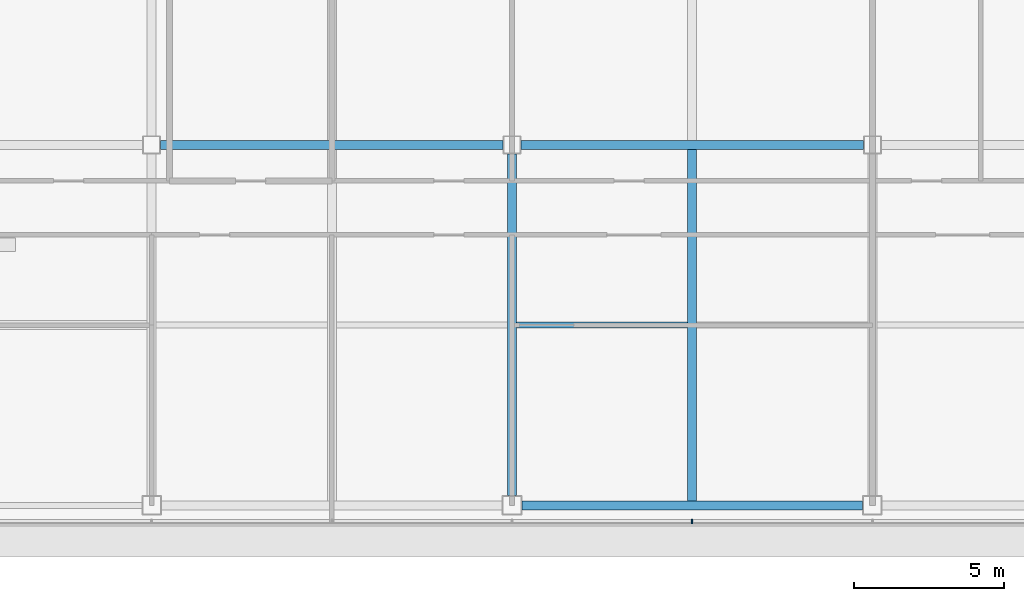
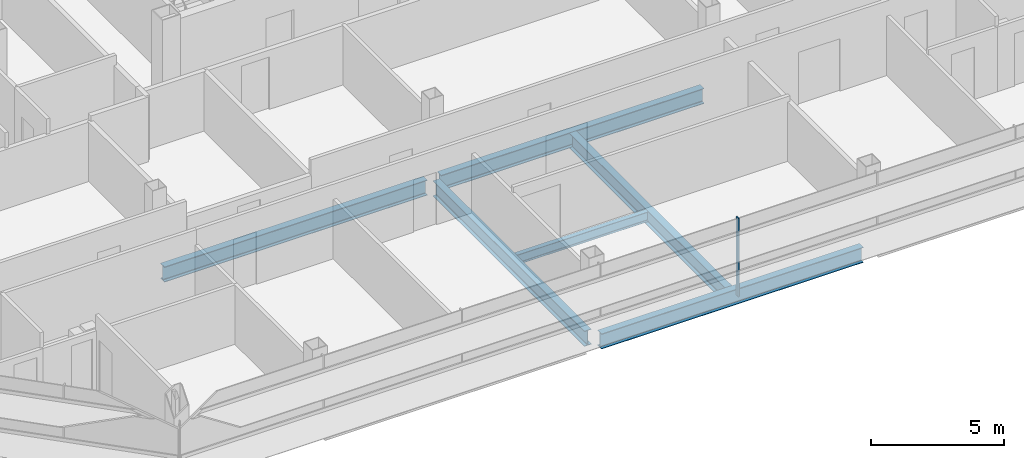
# One storey, part 3 of 27: 6 beams, 1 member, 1 element without a shape of its own.
"""IFC4 building model written with IfcOpenShell, lengths in metres."""

import ifcopenshell
import ifcopenshell.guid

model = None  # the IFC model being written
_history = None  # IfcOwnerHistory: only IFC2X3 demands one
_inside = {}  # id of a spatial element -> (the spatial element, [elements in it])
_under = {}  # id of a project, library or spatial element -> (it, [spatial elements below it])
_declared = {}  # id of a project -> (the project, [libraries it declares])
_typed = {}  # id of a type object -> (the type object, [elements of that type])
_made_of = {}  # id of a material, layer set ... -> (it, [elements and type objects made of it])


def new_model(schema):
    """Start an empty IFC model of exactly this schema.

    Asked for "IFC4X3", IfcOpenShell would pick the latest addendum, in which some entities
    have other attributes; the version numbers below select the first issue.
    IFC2X3 requires an IfcOwnerHistory on every rooted entity: one is made here for all.
    """
    global model, _history
    if schema == "IFC4X3":
        model = ifcopenshell.file(schema_version=(4, 3, 0, 0))
    else:
        model = ifcopenshell.file(schema=schema)
    _inside.clear()
    _under.clear()
    _declared.clear()
    _typed.clear()
    _made_of.clear()
    _history = None
    if model.schema == "IFC2X3":
        org = make("IfcOrganization", Name="unknown")
        user = make(
            "IfcPersonAndOrganization",
            ThePerson=make("IfcPerson", FamilyName="unknown"),
            TheOrganization=org,
        )
        app = make(
            "IfcApplication",
            ApplicationDeveloper=org,
            Version="unknown",
            ApplicationFullName="unknown",
            ApplicationIdentifier="unknown",
        )
        _history = make(
            "IfcOwnerHistory",
            OwningUser=user,
            OwningApplication=app,
            ChangeAction="ADDED",
            CreationDate=0,
        )
    return model


def make(cls, **values):
    """One entity of the class cls with the attributes given. An attribute that is None is left unset."""
    return model.create_entity(
        cls, **{name: value for name, value in values.items() if value is not None}
    )


def rooted(cls, **values):
    """An entity with a GlobalId (a new one), such as an element, a storey or a relation."""
    return make(cls, GlobalId=ifcopenshell.guid.new(), OwnerHistory=_history, **values)


def si_unit(unit_type, name, prefix=None):
    """IfcSIUnit, for example si_unit("LENGTHUNIT", "METRE", prefix="MILLI")."""
    return make("IfcSIUnit", UnitType=unit_type, Prefix=prefix, Name=name)


def assignment(units):
    """IfcUnitAssignment: the units of a project."""
    return None if units is None else make("IfcUnitAssignment", Units=units)


def point(xyz):
    """IfcCartesianPoint."""
    return None if xyz is None else make("IfcCartesianPoint", Coordinates=xyz)


def direction(xyz):
    """IfcDirection."""
    return None if xyz is None else make("IfcDirection", DirectionRatios=xyz)


def frame(location, z_axis=None, x_axis=None):
    """IfcAxis2Placement3D, a coordinate frame: its origin and axes. An axis left out is left unset."""
    return make(
        "IfcAxis2Placement3D",
        Location=point(location),
        Axis=direction(z_axis),
        RefDirection=direction(x_axis),
    )


def frame_2d(location, x_axis=None):
    """IfcAxis2Placement2D, a coordinate frame in the plane: its origin and x axis."""
    return make(
        "IfcAxis2Placement2D", Location=point(location), RefDirection=direction(x_axis)
    )


def origin():
    """The frame at (0, 0, 0) with its axes left unset."""
    return frame((0.0, 0.0, 0.0))


def origin_2d():
    """The frame at (0, 0) in the plane with its x axis left unset."""
    return frame_2d((0.0, 0.0))


def place(relative_to, where):
    """IfcLocalPlacement: puts the frame where relative to a parent placement (None: the world)."""
    return make(
        "IfcLocalPlacement", PlacementRelTo=relative_to, RelativePlacement=where
    )


def context(
    kind, dimensions, precision=None, world=None, true_north=None, identifier=None
):
    """IfcGeometricRepresentationContext, for example the 3D "Model" context."""
    return make(
        "IfcGeometricRepresentationContext",
        ContextIdentifier=identifier,
        ContextType=kind,
        CoordinateSpaceDimension=dimensions,
        Precision=precision,
        WorldCoordinateSystem=world,
        TrueNorth=true_north,
    )


def subcontext(parent, identifier, kind, view, scale=None):
    """IfcGeometricRepresentationSubContext, for example "Body" below "Model"."""
    return make(
        "IfcGeometricRepresentationSubContext",
        ContextIdentifier=identifier,
        ContextType=kind,
        ParentContext=parent,
        TargetScale=scale,
        TargetView=view,
    )


def project(units=None, contexts=None):
    """IfcProject with its units and contexts."""
    return rooted(
        "IfcProject",
        Name="project",
        RepresentationContexts=contexts,
        UnitsInContext=assignment(units),
    )


def spatial(cls, under=None, at=None, **own):
    """A site, building, storey or space (cls), placed at a placement, below another one or the project."""
    s = rooted(cls, ObjectPlacement=at, **own)
    if under is not None:
        _under.setdefault(under.id(), (under, []))[1].append(s)
    return s


def profile(cls, at=None, kind="AREA", **sizes):
    """A parametric profile (cls). Its sizes go by their IFC names, for example OverallWidth=200.0."""
    return make(cls, ProfileType=kind, Position=at, **sizes)


def rectangle(**sizes):
    """IfcRectangleProfileDef."""
    return profile("IfcRectangleProfileDef", **sizes)


def i_section(**sizes):
    """IfcIShapeProfileDef."""
    return profile("IfcIShapeProfileDef", **sizes)


def extrude(swept, where, along, depth):
    """IfcExtrudedAreaSolid: the profile swept, set in the frame where, extruded along a direction by depth."""
    return make(
        "IfcExtrudedAreaSolid",
        SweptArea=swept,
        Position=where,
        ExtrudedDirection=direction(along),
        Depth=depth,
    )


def shape(context_of_items, identifier, shape_type, items):
    """IfcShapeRepresentation: the items that make up one representation, for example the "Body"."""
    return make(
        "IfcShapeRepresentation",
        ContextOfItems=context_of_items,
        RepresentationIdentifier=identifier,
        RepresentationType=shape_type,
        Items=items,
    )


def material(Name=None, Category=None):
    """IfcMaterial."""
    return make("IfcMaterial", Name=Name, Category=Category)


def material_profile(
    of_material, cross_section, Name=None, Category=None, Priority=None
):
    """IfcMaterialProfile: a cross section and its material."""
    return make(
        "IfcMaterialProfile",
        Name=Name,
        Material=of_material,
        Profile=cross_section,
        Priority=Priority,
        Category=Category,
    )


def profile_set(profiles, Name=None, composite=None):
    """IfcMaterialProfileSet."""
    return make(
        "IfcMaterialProfileSet",
        Name=Name,
        MaterialProfiles=profiles,
        CompositeProfile=composite,
    )


def made_of(thing, what):
    """Note that an element or type object is made of a material, layer set ...; save() writes the relation."""
    if what is not None:
        _made_of.setdefault(what.id(), (what, []))[1].append(thing)
    return thing


def type_object(cls, material=None, **own):
    """A type object (cls), such as IfcWallType, which elements share."""
    return made_of(rooted(cls, **own), material)


def element(
    cls,
    number,
    at=None,
    inside=None,
    cuts=None,
    type_object=None,
    material=None,
    context=None,
    identifier="Body",
    shape_type=None,
    held_by="IfcProductDefinitionShape",
    body=None,
    shapes=None,
    **own,
):
    """One element of the class cls, such as IfcWall. Its Tag is "e" and its number.

    at: its placement. inside: the storey or other place that contains it. cuts: it is an
    opening in that element (IfcRelVoidsElement). A single representation is given by context,
    identifier, shape_type and body (its items); several are given by shapes. held_by: the class
    of the entity that holds the representations. save() writes the other relations.
    """
    e = rooted(cls, Tag="e%d" % number, ObjectPlacement=at, **own)
    if body is not None:
        shapes = [shape(context, identifier, shape_type, body)]
    if shapes is not None:
        e.Representation = make(held_by, Representations=shapes)
    if inside is not None:
        _inside.setdefault(inside.id(), (inside, []))[1].append(e)
    if cuts is not None:
        rooted(
            "IfcRelVoidsElement", RelatingBuildingElement=cuts, RelatedOpeningElement=e
        )
    if type_object is not None:
        _typed.setdefault(type_object.id(), (type_object, []))[1].append(e)
    return made_of(e, material)


def aggregate(whole, parts):
    """IfcRelAggregates: a whole, such as a stair, and the parts it consists of."""
    return rooted("IfcRelAggregates", RelatingObject=whole, RelatedObjects=parts)


def save(model, path):
    """Write the relations noted so far, then the file.

    IfcRelAggregates (storeys below a building ...), IfcRelContainedInSpatialStructure (elements
    in a storey), IfcRelDefinesByType, IfcRelAssociatesMaterial and IfcRelDeclares: one each for
    every whole, place, type object, material and project.
    """
    for whole, parts in _under.values():
        aggregate(whole, parts)
    for where, things in _inside.values():
        rooted(
            "IfcRelContainedInSpatialStructure",
            RelatedElements=things,
            RelatingStructure=where,
        )
    for kind, things in _typed.values():
        rooted("IfcRelDefinesByType", RelatedObjects=things, RelatingType=kind)
    for what, things in _made_of.values():
        rooted("IfcRelAssociatesMaterial", RelatedObjects=things, RelatingMaterial=what)
    for by, libraries in _declared.values():
        rooted("IfcRelDeclares", RelatingContext=by, RelatedDefinitions=libraries)
    model.write(path)


model = new_model("IFC4")

# Units and contexts
model_context = context("Model", 3, precision=1e-05, world=origin(), true_north=direction((0.0, 1.0)))
body_context = subcontext(model_context, "Body", "Model", "MODEL_VIEW")
ifc_project = project(units=[si_unit("LENGTHUNIT", "METRE"), si_unit("AREAUNIT", "SQUARE_METRE"), si_unit("VOLUMEUNIT", "CUBIC_METRE"), si_unit("PLANEANGLEUNIT", "RADIAN"), si_unit("MASSUNIT", "GRAM", prefix="KILO")], contexts=[model_context])

# Site, building, storey
site_placement = place(None, origin())
site = spatial("IfcSite", under=ifc_project, at=site_placement, CompositionType="ELEMENT")
building_placement = place(site_placement, origin())
building = spatial("IfcBuilding", under=site, at=building_placement, Name="Sorahane Residences", CompositionType="ELEMENT")
storey_placement = place(building_placement, frame((0.0, 0.0, 239.60009765625)))
storey = spatial("IfcBuildingStorey", under=building, at=storey_placement, Name="L56", CompositionType="ELEMENT", Elevation=239.60009765625)

# Curtain wall, member
ifc_material_1 = material(Name="Dark low-e glass and black anodised aluminium", Category="aluminium")
curtain_wall_type = type_object("IfcCurtainWallType", Name="Curtain wall CW-1 Typical unitised wall", PredefinedType="NOTDEFINED", material=ifc_material_1)
curtain_wall_placement = place(storey_placement, origin())
curtain_wall = element("IfcCurtainWall", 1, at=curtain_wall_placement, inside=storey, type_object=curtain_wall_type, Name="CW-1 curtain wall L56 S1", PredefinedType="NOTDEFINED")
ifc_material_2 = material(Name="Black anodised aluminium", Category="aluminium")
ifc_material_profile_1 = material_profile(ifc_material_2, rectangle(XDim=0.159912109375, YDim=0.050048828125, at=origin_2d()), Name="Curtain wall mullion CW-1 black anodised aluminium 50x160")
ifc_profile_set_1 = profile_set([ifc_material_profile_1], Name="Black anodised aluminium")
member_type = type_object("IfcMemberType", Name="Curtain wall mullion CW-1 black anodised aluminium 50x160", PredefinedType="MULLION", material=ifc_profile_set_1)
member_placement = place(storey_placement, frame((18.0, -0.5400390625, -0.18017578125), z_axis=(0.0, 0.0, 1.0), x_axis=(0.0, -1.0, 0.0)))
member = element("IfcMember", 2, at=member_placement, type_object=member_type, Name="CW-1 mullion L56 S1.5", PredefinedType="MULLION", context=body_context, shape_type="SweptSolid", body=[
    extrude(rectangle(XDim=0.159912109375, YDim=0.050048828125, at=origin_2d()), origin(), (0.0, 0.0, 1.0), 3.60009765625),
])
aggregate(curtain_wall, [member])

# Beams
ifc_material_3 = material(Name="Steel Q355B", Category="steel")
ifc_material_profile_2 = material_profile(ifc_material_3, i_section(OverallWidth=0.199951171875, OverallDepth=0.449951171875, WebThickness=0.009033203125, FlangeThickness=0.013916015625, FilletRadius=0.02001953125, at=origin_2d()), Name="HN 450x200x9x14")
ifc_profile_set_2 = profile_set([ifc_material_profile_2], Name="Steel Q355B")
beam_type_1 = type_object("IfcBeamType", Name="Steel floor beam HN 450x200x9x14 Q355B", PredefinedType="BEAM", material=ifc_profile_set_2)
beam_1_placement = place(storey_placement, frame((12.14990234375, 6.0, -0.405029296875), z_axis=(1.0, 0.0, 0.0), x_axis=(0.0, 1.0, 0.0)))
element("IfcBeam", 3, at=beam_1_placement, inside=storey, type_object=beam_type_1, Name="Beam L56 071", PredefinedType="BEAM", context=body_context, shape_type="SweptSolid", body=[
    extrude(i_section(OverallWidth=0.199951171875, OverallDepth=0.449951171875, WebThickness=0.009033203125, FlangeThickness=0.013916015625, FilletRadius=0.02001953125, at=origin_2d()), origin(), (0.0, 0.0, 1.0), 5.7001953125),
])
ifc_material_4 = material(Name="Steel Q355B", Category="steel")
ifc_material_profile_3 = material_profile(ifc_material_4, i_section(OverallWidth=0.300048828125, OverallDepth=0.699951171875, WebThickness=0.012939453125, FlangeThickness=0.02392578125, FilletRadius=0.028076171875, at=origin_2d()), Name="HN 700x300x13x24")
ifc_profile_set_3 = profile_set([ifc_material_profile_3], Name="Steel Q355B")
beam_type_2 = type_object("IfcBeamType", Name="Steel floor beam HN 700x300x13x24 Q355B", PredefinedType="BEAM", material=ifc_profile_set_3)
beam_2_placement = place(storey_placement, frame((12.324951171875, 0.0, -0.530029296875), z_axis=(1.0, 0.0, 0.0), x_axis=(0.0, 1.0, 0.0)))
element("IfcBeam", 4, at=beam_2_placement, inside=storey, type_object=beam_type_2, Name="Beam L56 002", PredefinedType="BEAM", context=body_context, shape_type="SweptSolid", body=[
    extrude(i_section(OverallWidth=0.300048828125, OverallDepth=0.699951171875, WebThickness=0.012939453125, FlangeThickness=0.02392578125, FilletRadius=0.028076171875, at=origin_2d()), origin(), (0.0, 0.0, 1.0), 11.35009765625),
])
for number, where, z_axis, x_axis, name in (
    (5, (0.300048828125, 12.0, -0.530029296875), (1.0, 0.0, 0.0), (0.0, 1.0, 0.0), "Beam L56 006"),
    (6, (12.300048828125, 12.0, -0.530029296875), (1.0, 0.0, 0.0), (0.0, 1.0, 0.0), "Beam L56 007"),
):
    element("IfcBeam", number, at=place(storey_placement, frame(where, z_axis=z_axis, x_axis=x_axis)), inside=storey, type_object=beam_type_2, Name=name, PredefinedType="BEAM", context=body_context, shape_type="SweptSolid", body=[
        extrude(i_section(OverallWidth=0.300048828125, OverallDepth=0.699951171875, WebThickness=0.012939453125, FlangeThickness=0.02392578125, FilletRadius=0.028076171875, at=origin_2d()), origin(), (0.0, 0.0, 1.0), 11.39990234375),
    ])
beam_3_placement = place(storey_placement, frame((12.0, 0.324951171875, -0.530029296875), z_axis=(0.0, 1.0, 0.0), x_axis=(-1.0, 0.0, 0.0)))
element("IfcBeam", 7, at=beam_3_placement, inside=storey, type_object=beam_type_2, Name="Beam L56 034", PredefinedType="BEAM", context=body_context, shape_type="SweptSolid", body=[
    extrude(i_section(OverallWidth=0.300048828125, OverallDepth=0.699951171875, WebThickness=0.012939453125, FlangeThickness=0.02392578125, FilletRadius=0.028076171875, at=origin_2d()), origin(), (0.0, 0.0, 1.0), 11.375),
])
beam_4_placement = place(storey_placement, frame((18.0, 0.14990234375, -0.530029296875), z_axis=(0.0, 1.0, 0.0), x_axis=(-1.0, 0.0, 0.0)))
element("IfcBeam", 8, at=beam_4_placement, inside=storey, type_object=beam_type_2, Name="Beam L56 036", PredefinedType="BEAM", context=body_context, shape_type="SweptSolid", body=[
    extrude(i_section(OverallWidth=0.300048828125, OverallDepth=0.699951171875, WebThickness=0.012939453125, FlangeThickness=0.02392578125, FilletRadius=0.028076171875, at=origin_2d()), origin(), (0.0, 0.0, 1.0), 11.7001953125),
])

save(model, "model.ifc")
